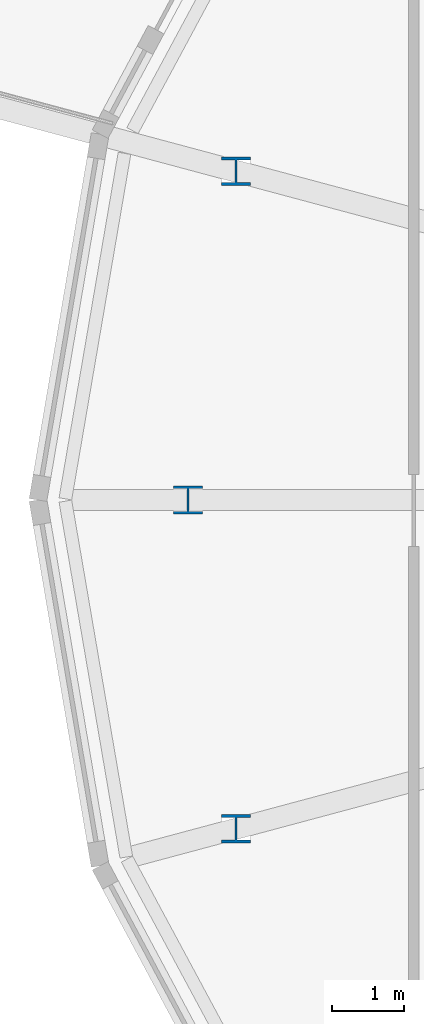
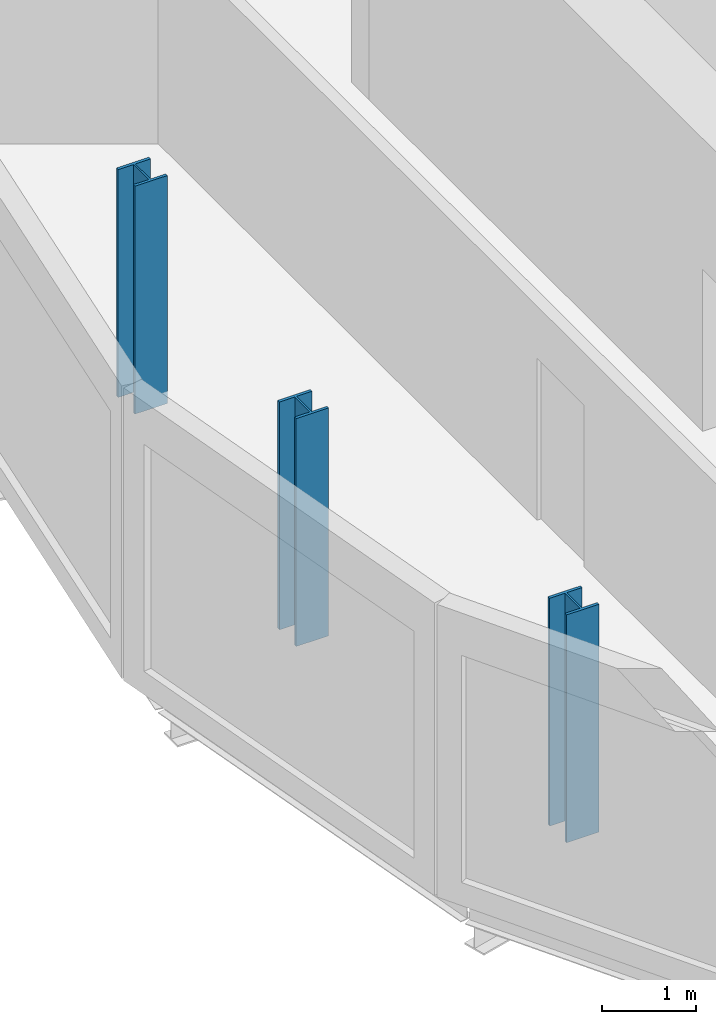
# One storey, part 1 of 39: 3 columns.
"""IFC4 building model written with IfcOpenShell, lengths in metres."""

from ifc_helpers import new_model, si_unit, direction, frame, origin, origin_2d, place, context, subcontext, project, spatial, i_section, extrude, material, material_profile, profile_set, type_object, element, save


model = new_model("IFC4")

# Units and contexts
model_context = context("Model", 3, precision=1e-05, world=origin(), true_north=direction((0.0, 1.0)))
body_context = subcontext(model_context, "Body", "Model", "MODEL_VIEW")
ifc_project = project(units=[si_unit("LENGTHUNIT", "METRE"), si_unit("AREAUNIT", "SQUARE_METRE"), si_unit("VOLUMEUNIT", "CUBIC_METRE"), si_unit("PLANEANGLEUNIT", "RADIAN"), si_unit("MASSUNIT", "GRAM", prefix="KILO")], contexts=[model_context])

# Site, building, storey
site_placement = place(None, origin())
site = spatial("IfcSite", under=ifc_project, at=site_placement, CompositionType="ELEMENT")
building_placement = place(site_placement, origin())
building = spatial("IfcBuilding", under=site, at=building_placement, Name="Rimbun Link Towers", CompositionType="ELEMENT")
storey_placement = place(building_placement, frame((0.0, 0.0, 115.800048828125)))
storey = spatial("IfcBuildingStorey", under=building, at=storey_placement, Name="L28", CompositionType="ELEMENT", Elevation=115.800048828125)

# Columns
ifc_material = material(Name="Steel S355J2", Category="steel")
ifc_material_profile = material_profile(ifc_material, i_section(OverallWidth=0.39892578125, OverallDepth=0.3935546875, WebThickness=0.022705078125, FlangeThickness=0.03662109375, at=origin_2d()), Name="UC 356x406x287")
ifc_profile_set = profile_set([ifc_material_profile], Name="Steel S355J2")
column_type = type_object("IfcColumnType", Name="UC 356x406x287", PredefinedType="COLUMN", material=ifc_profile_set)
for number, where, z_axis, x_axis, name in (
    (1, (-48.88232421875, 4.590576171875, -0.16015625), (0.0, 0.0, 1.0), (1.0, 0.0, 0.0), "Crease post T1 L28 11"),
    (2, (-49.55224609375, 0.0, -0.16015625), (0.0, 0.0, 1.0), (1.0, 0.0, 0.0), "Crease post T1 L28 12"),
    (3, (-48.88232421875, -4.590576171875, -0.16015625), (0.0, 0.0, 1.0), (1.0, 0.0, 0.0), "Crease post T1 L28 13"),
):
    element("IfcColumn", number, at=place(storey_placement, frame(where, z_axis=z_axis, x_axis=x_axis)), inside=storey, type_object=column_type, Name=name, PredefinedType="COLUMN", context=body_context, shape_type="SweptSolid", body=[
        extrude(i_section(OverallWidth=0.39892578125, OverallDepth=0.3935546875, WebThickness=0.022705078125, FlangeThickness=0.03662109375, at=origin_2d()), origin(), (0.0, 0.0, 1.0), 2.95947265625),
    ])

save(model, "model.ifc")
